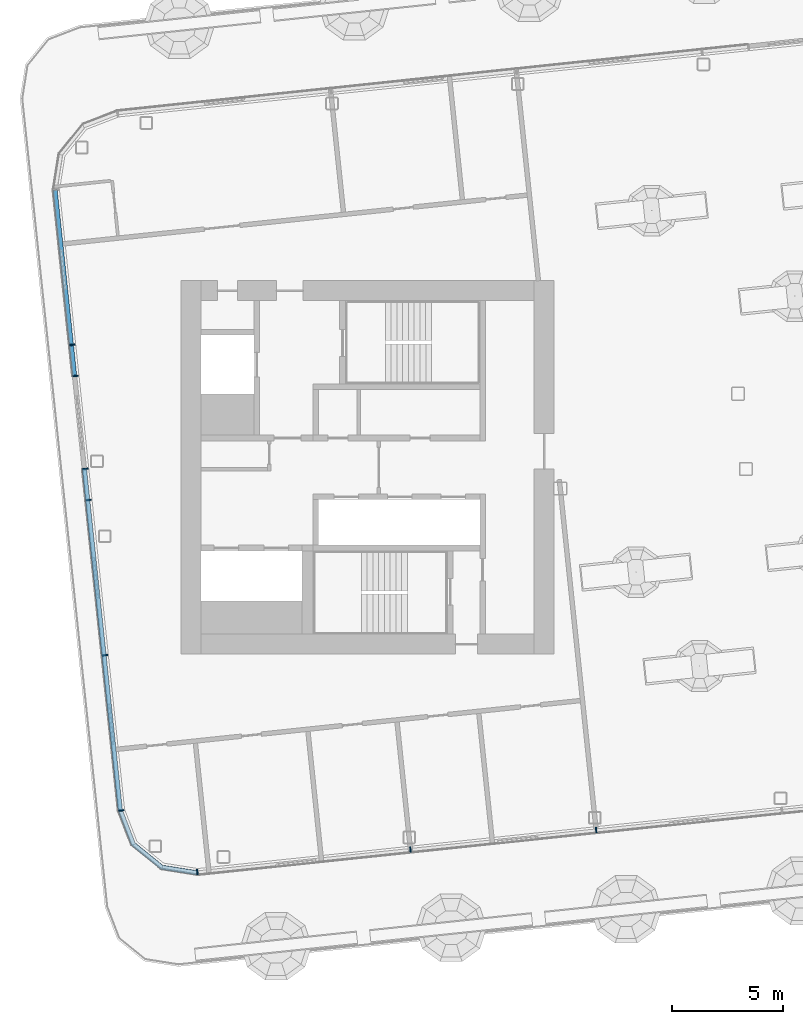
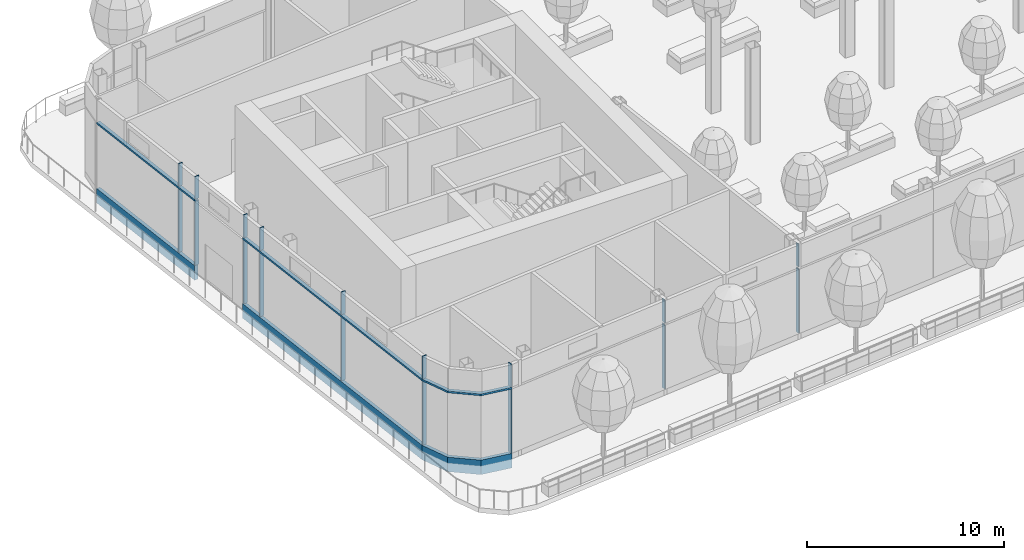
# One storey, part 3 of 42: 24 members, 3 elements without a shape of their own.
"""IFC4 building model written with IfcOpenShell, lengths in metres."""

from ifc_helpers import new_model, si_unit, direction, frame, origin, origin_2d, place, context, subcontext, project, spatial, polyline, rectangle, outline, extrude, material, layer, layer_set, material_profile, profile_set, type_object, element, aggregate, save


model = new_model("IFC4")

# Units and contexts
model_context = context("Model", 3, precision=1e-05, world=origin(), true_north=direction((0.0, 1.0)))
body_context = subcontext(model_context, "Body", "Model", "MODEL_VIEW")
ifc_project = project(units=[si_unit("LENGTHUNIT", "METRE"), si_unit("AREAUNIT", "SQUARE_METRE"), si_unit("VOLUMEUNIT", "CUBIC_METRE"), si_unit("PLANEANGLEUNIT", "RADIAN"), si_unit("MASSUNIT", "GRAM", prefix="KILO")], contexts=[model_context])

# Site, building, storey
site_placement = place(None, origin())
site = spatial("IfcSite", under=ifc_project, at=site_placement, CompositionType="ELEMENT")
building_placement = place(site_placement, origin())
building = spatial("IfcBuilding", under=site, at=building_placement, Name="Hakoniwa Tower and Hamabe Station Hall", CompositionType="ELEMENT")
storey_placement = place(building_placement, frame((0.0, 0.0, 232.60009765625)))
storey = spatial("IfcBuildingStorey", under=building, at=storey_placement, Name="L66", CompositionType="ELEMENT", Elevation=232.60009765625)

# Curtain wall, members
ifc_material_1 = material(Name="Dark low-e laminated glass", Category="glass")
ifc_layer = layer(ifc_material_1, 0.199951171875)
ifc_layer_set = layer_set([ifc_layer], Name="CW-2 SKY GARDEN")
curtain_wall_type = type_object("IfcCurtainWallType", Name="CW-2 SKY GARDEN", PredefinedType="NOTDEFINED", material=ifc_layer_set)
curtain_wall_1_placement = place(storey_placement, origin())
curtain_wall_1 = element("IfcCurtainWall", 1, at=curtain_wall_1_placement, inside=storey, type_object=curtain_wall_type, Name="CW-2 curtain wall", PredefinedType="NOTDEFINED")
ifc_material_2 = material(Name="Aluminium 6063-T5 black anodised", Category="aluminium")
ifc_material_profile_1 = material_profile(ifc_material_2, rectangle(XDim=0.199951171875, YDim=0.1201171875, at=origin_2d()), Name="CW MID TRANSOM 120X200")
ifc_profile_set_1 = profile_set([ifc_material_profile_1], Name="Aluminium 6063-T5 black anodised")
member_type_1 = type_object("IfcMemberType", Name="CW MID TRANSOM 120X200", PredefinedType="USERDEFINED", material=ifc_profile_set_1)
member_1_placement = place(storey_placement, frame((-39.25927734375, 12.490478515625, 4.389892578125), z_axis=(0.10452854743, -0.994521886522, 0.0), x_axis=(0.994521886522, 0.10452854743, 0.0)))
member_1 = element("IfcMember", 2, at=member_1_placement, type_object=member_type_1, Name="CW-2 transom", ObjectType="TRANSOM", PredefinedType="USERDEFINED", context=body_context, shape_type="SweptSolid", body=[
    extrude(rectangle(XDim=0.199951171875, YDim=0.1201171875, at=origin_2d()), origin(), (0.0, 0.0, 1.0), 8.459716796875),
])
member_2_placement = place(storey_placement, frame((-37.9423828125, -0.0400390625, 4.389892578125), z_axis=(0.10453700162, -0.994520997914, 0.0), x_axis=(0.994520997914, 0.10453700162, 0.0)))
member_2 = element("IfcMember", 3, at=member_2_placement, type_object=member_type_1, Name="CW-2 transom", ObjectType="TRANSOM", PredefinedType="USERDEFINED", context=body_context, shape_type="SweptSolid", body=[
    extrude(rectangle(XDim=0.199951171875, YDim=0.1201171875, at=origin_2d()), origin(), (0.0, 0.0, 1.0), 15.479248046875),
])

# Curtain wall, member
curtain_wall_2_placement = place(storey_placement, origin())
curtain_wall_2 = element("IfcCurtainWall", 4, at=curtain_wall_2_placement, inside=storey, type_object=curtain_wall_type, Name="CW-2 curtain wall", PredefinedType="NOTDEFINED")
member_3_placement = place(storey_placement, frame((0.0, 0.0, 4.329833984375)))
member_3 = element("IfcMember", 5, at=member_3_placement, type_object=member_type_1, Name="CW-2 transom", ObjectType="TRANSOM", PredefinedType="USERDEFINED", context=body_context, shape_type="SweptSolid", body=[
    extrude(outline(polyline([(-36.423828125, -15.445068359375), (-35.82421875, -17.0068359375), (-34.492431640625, -18.085205078125), (-32.84033203125, -18.346923828125), (-32.80908203125, -18.1494140625), (-34.408203125, -17.89599609375), (-35.65673828125, -16.885009765625), (-36.237060546875, -15.37353515625), (-36.423828125, -15.445068359375)])), origin(), (0.0, 0.0, 1.0), 0.1201171875),
])

# Member
ifc_material_3 = material(Name="Aluminium 6063-T5 black anodised", Category="aluminium")
ifc_material_profile_2 = material_profile(ifc_material_3, rectangle(XDim=0.199951171875, YDim=0.89990234375, at=origin_2d()), Name="CW SLAB-EDGE BAND 900X200")
ifc_profile_set_2 = profile_set([ifc_material_profile_2], Name="Aluminium 6063-T5 black anodised")
member_type_2 = type_object("IfcMemberType", Name="CW SLAB-EDGE BAND 900X200", PredefinedType="USERDEFINED", material=ifc_profile_set_2)
member_4_placement = place(storey_placement, frame((-39.25927734375, 12.490478515625, -0.10009765625), z_axis=(0.10452854743, -0.994521886522, 0.0), x_axis=(0.994521886522, 0.10452854743, 0.0)))
member_4 = element("IfcMember", 6, at=member_4_placement, type_object=member_type_2, Name="CW-2 transom", ObjectType="TRANSOM", PredefinedType="USERDEFINED", context=body_context, shape_type="SweptSolid", body=[
    extrude(rectangle(XDim=0.199951171875, YDim=0.89990234375, at=origin_2d()), origin(), (0.0, 0.0, 1.0), 8.459716796875),
])

member_5_placement = place(storey_placement, frame((-37.9423828125, -0.0400390625, -0.10009765625), z_axis=(0.10453700162, -0.994520997914, 0.0), x_axis=(0.994520997914, 0.10453700162, 0.0)))
member_5 = element("IfcMember", 7, at=member_5_placement, type_object=member_type_2, Name="CW-2 transom", ObjectType="TRANSOM", PredefinedType="USERDEFINED", context=body_context, shape_type="SweptSolid", body=[
    extrude(rectangle(XDim=0.199951171875, YDim=0.89990234375, at=origin_2d()), origin(), (0.0, 0.0, 1.0), 15.479248046875),
])

member_6_placement = place(storey_placement, frame((0.0, 0.0, -0.550048828125)))
member_6 = element("IfcMember", 8, at=member_6_placement, type_object=member_type_2, Name="CW-2 transom", ObjectType="TRANSOM", PredefinedType="USERDEFINED", context=body_context, shape_type="SweptSolid", body=[
    extrude(outline(polyline([(-36.423828125, -15.445068359375), (-35.82421875, -17.0068359375), (-34.492431640625, -18.085205078125), (-32.84033203125, -18.346923828125), (-32.80908203125, -18.1494140625), (-34.408203125, -17.89599609375), (-35.65673828125, -16.885009765625), (-36.237060546875, -15.37353515625), (-36.423828125, -15.445068359375)])), origin(), (0.0, 0.0, 1.0), 0.89990234375),
])

aggregate(curtain_wall_2, [member_6, member_3])

ifc_material_4 = material(Name="Aluminium 6063-T5 black anodised", Category="aluminium")
ifc_material_profile_3 = material_profile(ifc_material_4, rectangle(XDim=0.06005859375, YDim=0.239990234375, at=origin_2d()), Name="CW-2 MULLION 60X240")
ifc_profile_set_3 = profile_set([ifc_material_profile_3], Name="Aluminium 6063-T5 black anodised")
member_type_3 = type_object("IfcMemberType", Name="CW-2 MULLION 60X240", PredefinedType="MULLION", material=ifc_profile_set_3)
member_7_placement = place(storey_placement, frame((-38.477783203125, 5.51416015625, 0.349853515625), z_axis=(0.0, 0.0, 1.0), x_axis=(0.104528468631, -0.994521894805, 0.0)))
member_7 = element("IfcMember", 9, at=member_7_placement, type_object=member_type_3, Name="CW-2 mullion", PredefinedType="MULLION", context=body_context, shape_type="SweptSolid", body=[
    extrude(rectangle(XDim=0.06005859375, YDim=0.239990234375, at=origin_2d()), origin(), (0.0, 0.0, 1.0), 3.97998046875),
])

member_8_placement = place(storey_placement, frame((-38.477783203125, 5.51416015625, 4.449951171875), z_axis=(0.0, 0.0, 1.0), x_axis=(0.104528468631, -0.994521894805, 0.0)))
member_8 = element("IfcMember", 10, at=member_8_placement, type_object=member_type_3, Name="CW-2 mullion", PredefinedType="MULLION", context=body_context, shape_type="SweptSolid", body=[
    extrude(rectangle(XDim=0.06005859375, YDim=0.239990234375, at=origin_2d()), origin(), (0.0, 0.0, 1.0), 1.39990234375),
])

member_9_placement = place(storey_placement, frame((-38.33056640625, 4.112060546875, 0.349853515625), z_axis=(0.0, 0.0, 1.0), x_axis=(0.104528468631, -0.994521894805, 0.0)))
member_9 = element("IfcMember", 11, at=member_9_placement, type_object=member_type_3, Name="CW-2 mullion", PredefinedType="MULLION", context=body_context, shape_type="SweptSolid", body=[
    extrude(rectangle(XDim=0.06005859375, YDim=0.239990234375, at=origin_2d()), origin(), (0.0, 0.0, 1.0), 3.97998046875),
])

member_10_placement = place(storey_placement, frame((-38.33056640625, 4.112060546875, 4.449951171875), z_axis=(0.0, 0.0, 1.0), x_axis=(0.104528468631, -0.994521894805, 0.0)))
member_10 = element("IfcMember", 12, at=member_10_placement, type_object=member_type_3, Name="CW-2 mullion", PredefinedType="MULLION", context=body_context, shape_type="SweptSolid", body=[
    extrude(rectangle(XDim=0.06005859375, YDim=0.239990234375, at=origin_2d()), origin(), (0.0, 0.0, 1.0), 1.39990234375),
])

member_11_placement = place(storey_placement, frame((-37.891357421875, -0.06494140625, 0.349853515625), z_axis=(0.0, 0.0, 1.0), x_axis=(0.104528468631, -0.994521894805, 0.0)))
member_11 = element("IfcMember", 13, at=member_11_placement, type_object=member_type_3, Name="CW-2 mullion", PredefinedType="MULLION", context=body_context, shape_type="SweptSolid", body=[
    extrude(rectangle(XDim=0.06005859375, YDim=0.239990234375, at=origin_2d()), origin(), (0.0, 0.0, 1.0), 3.97998046875),
])

member_12_placement = place(storey_placement, frame((-37.891357421875, -0.06494140625, 4.449951171875), z_axis=(0.0, 0.0, 1.0), x_axis=(0.104528468631, -0.994521894805, 0.0)))
member_12 = element("IfcMember", 14, at=member_12_placement, type_object=member_type_3, Name="CW-2 mullion", PredefinedType="MULLION", context=body_context, shape_type="SweptSolid", body=[
    extrude(rectangle(XDim=0.06005859375, YDim=0.239990234375, at=origin_2d()), origin(), (0.0, 0.0, 1.0), 1.39990234375),
])

member_13_placement = place(storey_placement, frame((-37.744140625, -1.467041015625, 0.349853515625), z_axis=(0.0, 0.0, 1.0), x_axis=(0.104528468631, -0.994521894805, 0.0)))
member_13 = element("IfcMember", 15, at=member_13_placement, type_object=member_type_3, Name="CW-2 mullion", PredefinedType="MULLION", context=body_context, shape_type="SweptSolid", body=[
    extrude(rectangle(XDim=0.06005859375, YDim=0.239990234375, at=origin_2d()), origin(), (0.0, 0.0, 1.0), 3.97998046875),
])

member_14_placement = place(storey_placement, frame((-37.744140625, -1.467041015625, 4.449951171875), z_axis=(0.0, 0.0, 1.0), x_axis=(0.104528468631, -0.994521894805, 0.0)))
member_14 = element("IfcMember", 16, at=member_14_placement, type_object=member_type_3, Name="CW-2 mullion", PredefinedType="MULLION", context=body_context, shape_type="SweptSolid", body=[
    extrude(rectangle(XDim=0.06005859375, YDim=0.239990234375, at=origin_2d()), origin(), (0.0, 0.0, 1.0), 1.39990234375),
])

member_15_placement = place(storey_placement, frame((-37.01025390625, -8.4482421875, 0.349853515625), z_axis=(0.0, 0.0, 1.0), x_axis=(0.104528468631, -0.994521894805, 0.0)))
member_15 = element("IfcMember", 17, at=member_15_placement, type_object=member_type_3, Name="CW-2 mullion", PredefinedType="MULLION", context=body_context, shape_type="SweptSolid", body=[
    extrude(rectangle(XDim=0.06005859375, YDim=0.239990234375, at=origin_2d()), origin(), (0.0, 0.0, 1.0), 3.97998046875),
])

member_16_placement = place(storey_placement, frame((-37.01025390625, -8.4482421875, 4.449951171875), z_axis=(0.0, 0.0, 1.0), x_axis=(0.104528468631, -0.994521894805, 0.0)))
member_16 = element("IfcMember", 18, at=member_16_placement, type_object=member_type_3, Name="CW-2 mullion", PredefinedType="MULLION", context=body_context, shape_type="SweptSolid", body=[
    extrude(rectangle(XDim=0.06005859375, YDim=0.239990234375, at=origin_2d()), origin(), (0.0, 0.0, 1.0), 1.39990234375),
])

member_17_placement = place(storey_placement, frame((-36.276611328125, -15.4296875, 0.349853515625), z_axis=(0.0, 0.0, 1.0), x_axis=(0.104528468631, -0.994521894805, 0.0)))
member_17 = element("IfcMember", 19, at=member_17_placement, type_object=member_type_3, Name="CW-2 mullion", PredefinedType="MULLION", context=body_context, shape_type="SweptSolid", body=[
    extrude(rectangle(XDim=0.06005859375, YDim=0.239990234375, at=origin_2d()), origin(), (0.0, 0.0, 1.0), 3.97998046875),
])

member_18_placement = place(storey_placement, frame((-36.276611328125, -15.4296875, 4.449951171875), z_axis=(0.0, 0.0, 1.0), x_axis=(0.104528468631, -0.994521894805, 0.0)))
member_18 = element("IfcMember", 20, at=member_18_placement, type_object=member_type_3, Name="CW-2 mullion", PredefinedType="MULLION", context=body_context, shape_type="SweptSolid", body=[
    extrude(rectangle(XDim=0.06005859375, YDim=0.239990234375, at=origin_2d()), origin(), (0.0, 0.0, 1.0), 1.39990234375),
])

aggregate(curtain_wall_1, [member_7, member_8, member_9, member_10, member_11, member_12, member_13, member_14, member_15, member_16, member_17, member_18, member_4, member_1, member_5, member_2])

# Curtain wall, members
curtain_wall_3_placement = place(storey_placement, origin())
curtain_wall_3 = element("IfcCurtainWall", 21, at=curtain_wall_3_placement, inside=storey, type_object=curtain_wall_type, Name="CW-2 curtain wall", PredefinedType="NOTDEFINED")
member_19_placement = place(storey_placement, frame((-32.855712890625, -18.19970703125, 0.349853515625), z_axis=(0.0, 0.0, 1.0), x_axis=(0.994521895272, 0.104528464188, 0.0)))
member_19 = element("IfcMember", 22, at=member_19_placement, type_object=member_type_3, Name="CW-2 mullion", PredefinedType="MULLION", context=body_context, shape_type="SweptSolid", body=[
    extrude(rectangle(XDim=0.06005859375, YDim=0.239990234375, at=origin_2d()), origin(), (0.0, 0.0, 1.0), 3.97998046875),
])
member_20_placement = place(storey_placement, frame((-32.855712890625, -18.19970703125, 4.449951171875), z_axis=(0.0, 0.0, 1.0), x_axis=(0.994521895272, 0.104528464188, 0.0)))
member_20 = element("IfcMember", 23, at=member_20_placement, type_object=member_type_3, Name="CW-2 mullion", PredefinedType="MULLION", context=body_context, shape_type="SweptSolid", body=[
    extrude(rectangle(XDim=0.06005859375, YDim=0.239990234375, at=origin_2d()), origin(), (0.0, 0.0, 1.0), 1.39990234375),
])
member_21_placement = place(storey_placement, frame((-23.26904296875, -17.192138671875, 0.349853515625), z_axis=(0.0, 0.0, 1.0), x_axis=(0.994521895272, 0.104528464188, 0.0)))
member_21 = element("IfcMember", 24, at=member_21_placement, type_object=member_type_3, Name="CW-2 mullion", PredefinedType="MULLION", context=body_context, shape_type="SweptSolid", body=[
    extrude(rectangle(XDim=0.06005859375, YDim=0.239990234375, at=origin_2d()), origin(), (0.0, 0.0, 1.0), 3.97998046875),
])
member_22_placement = place(storey_placement, frame((-23.26904296875, -17.192138671875, 4.449951171875), z_axis=(0.0, 0.0, 1.0), x_axis=(0.994521895272, 0.104528464188, 0.0)))
member_22 = element("IfcMember", 25, at=member_22_placement, type_object=member_type_3, Name="CW-2 mullion", PredefinedType="MULLION", context=body_context, shape_type="SweptSolid", body=[
    extrude(rectangle(XDim=0.06005859375, YDim=0.239990234375, at=origin_2d()), origin(), (0.0, 0.0, 1.0), 1.39990234375),
])
member_23_placement = place(storey_placement, frame((-14.9150390625, -16.314208984375, 0.349853515625), z_axis=(0.0, 0.0, 1.0), x_axis=(0.994521895272, 0.104528464188, 0.0)))
member_23 = element("IfcMember", 26, at=member_23_placement, type_object=member_type_3, Name="CW-2 mullion", PredefinedType="MULLION", context=body_context, shape_type="SweptSolid", body=[
    extrude(rectangle(XDim=0.06005859375, YDim=0.239990234375, at=origin_2d()), origin(), (0.0, 0.0, 1.0), 3.97998046875),
])
member_24_placement = place(storey_placement, frame((-14.9150390625, -16.314208984375, 4.449951171875), z_axis=(0.0, 0.0, 1.0), x_axis=(0.994521895272, 0.104528464188, 0.0)))
member_24 = element("IfcMember", 27, at=member_24_placement, type_object=member_type_3, Name="CW-2 mullion", PredefinedType="MULLION", context=body_context, shape_type="SweptSolid", body=[
    extrude(rectangle(XDim=0.06005859375, YDim=0.239990234375, at=origin_2d()), origin(), (0.0, 0.0, 1.0), 1.39990234375),
])
aggregate(curtain_wall_3, [member_19, member_20, member_21, member_22, member_23, member_24])

save(model, "model.ifc")
